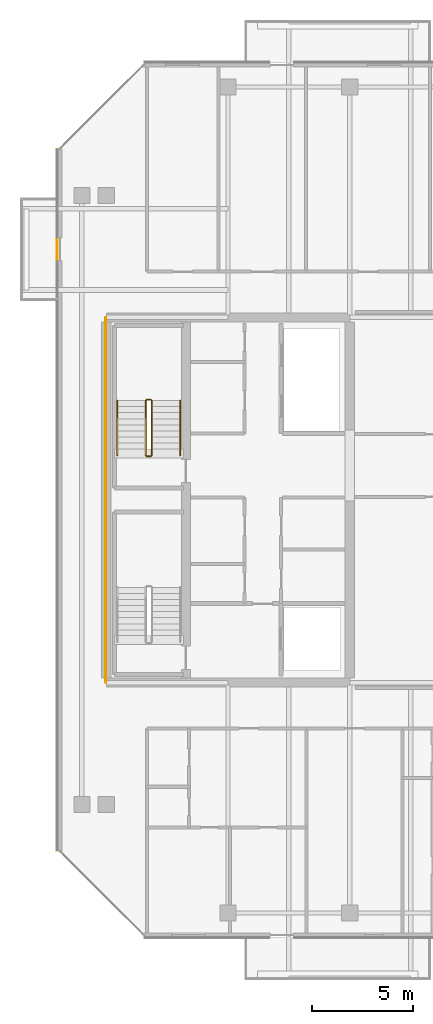
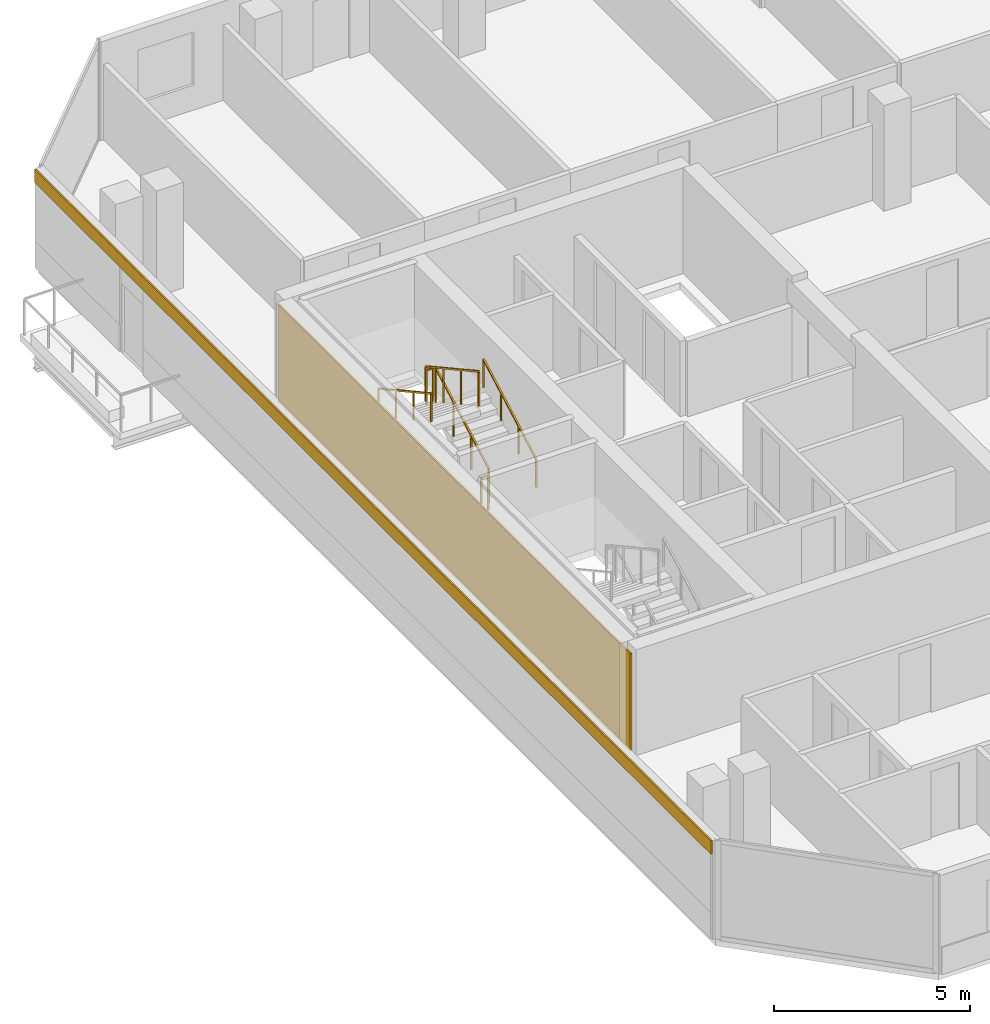
# One storey, part 26 of 29: 6 railings, 2 coverings.
"""IFC4 building model written with IfcOpenShell, lengths in metres."""

from ifc_helpers import new_model, si_unit, direction, frame, origin, origin_2d, place, context, subcontext, project, spatial, rectangle, extrude, material, layer, layer_set, type_object, element, save


model = new_model("IFC4")

# Units and contexts
model_context = context("Model", 3, precision=1e-05, world=origin(), true_north=direction((0.0, 1.0)))
body_context = subcontext(model_context, "Body", "Model", "MODEL_VIEW")
ifc_project = project(units=[si_unit("LENGTHUNIT", "METRE"), si_unit("AREAUNIT", "SQUARE_METRE"), si_unit("VOLUMEUNIT", "CUBIC_METRE"), si_unit("PLANEANGLEUNIT", "RADIAN"), si_unit("MASSUNIT", "GRAM", prefix="KILO")], contexts=[model_context])

# Site, building, storey
site_placement = place(None, origin())
site = spatial("IfcSite", under=ifc_project, at=site_placement, CompositionType="ELEMENT")
building_placement = place(site_placement, origin())
building = spatial("IfcBuilding", under=site, at=building_placement, Name="Tanjung Sevakor Pilgrim Tower", CompositionType="ELEMENT")
storey_placement = place(building_placement, frame((0.0, 0.0, 181.830078125)))
storey = spatial("IfcBuildingStorey", under=building, at=storey_placement, Name="L50", CompositionType="ELEMENT", Elevation=181.830078125)

# Coverings
ifc_material_1 = material(Name="Reconstructed Limestone Cladding", Category="masonry")
ifc_layer = layer(ifc_material_1, 0.044921875)
ifc_layer_set = layer_set([ifc_layer], Name="COV-CLAD-LIMESTONE")
covering_type = type_object("IfcCoveringType", Name="COV-CLAD-LIMESTONE", PredefinedType="CLADDING", material=ifc_layer_set)
covering_1_placement = place(storey_placement, frame((21.577392578125, 33.60009765625, 2.66015625), z_axis=(0.0, 0.0, 1.0), x_axis=(0.0, -1.0, 0.0)))
element("IfcCovering", 1, at=covering_1_placement, inside=storey, type_object=covering_type, Name="L50 Warm Limestone Cornice Spandrel EW-L50-MAIN-15", PredefinedType="CLADDING", context=body_context, shape_type="SweptSolid", body=[
    extrude(rectangle(XDim=34.56884765625, YDim=0.044921875, at=origin_2d()), origin(), (0.0, 0.0, 1.0), 0.409912109375),
])
covering_2_placement = place(storey_placement, frame((23.9775390625, 33.60009765625, 0.02001953125), z_axis=(0.0, 0.0, 1.0), x_axis=(1.0, 0.0, 0.0)))
element("IfcCovering", 2, at=covering_2_placement, inside=storey, type_object=covering_type, Name="L50 Expressed Core Warm Limestone Cladding W", PredefinedType="CLADDING", context=body_context, shape_type="SweptSolid", body=[
    extrude(rectangle(XDim=0.044921875, YDim=18.0, at=origin_2d()), origin(), (0.0, 0.0, 1.0), 3.0400390625),
])

# Railings
ifc_material_2 = material(Name="Steel S355J2", Category="steel")
railing_type_1 = type_object("IfcRailingType", Name="RL-STAIR-GUARD", PredefinedType="GUARDRAIL", material=ifc_material_2)
railing_1_placement = place(storey_placement, frame((26.25, 35.800048828125, 0.1650390625)))
element("IfcRailing", 3, at=railing_1_placement, inside=storey, type_object=railing_type_1, Name="L50 TS-W2 stair guard 1", PredefinedType="GUARDRAIL", context=body_context, shape_type="SweptSolid", body=[
    extrude(rectangle(XDim=0.0479, YDim=0.0479), frame((0.0, 0.0, 1.076171875), z_axis=(0.0, 0.876230963923, 0.481891375584), x_axis=(-1.0, 0.0, 0.0)), (0.0, 0.0, 1.0), 3.081298828125),
    extrude(rectangle(XDim=0.042, YDim=0.042), origin(), (0.0, 0.0, 1.0), 1.052001953125),
    extrude(rectangle(XDim=0.042, YDim=0.042), frame((0.0, 0.89990234375, 0.494873046875)), (0.0, 0.0, 1.0), 1.052001953125),
    extrude(rectangle(XDim=0.042, YDim=0.042), frame((0.0, 1.800048828125, 0.989990234375)), (0.0, 0.0, 1.0), 1.052001953125),
    extrude(rectangle(XDim=0.042, YDim=0.042), frame((0.0, 2.699951171875, 1.48486328125)), (0.0, 0.0, 1.0), 1.052001953125),
])
railing_2_placement = place(storey_placement, frame((26.199951171875, 38.550048828125, 1.64990234375)))
element("IfcRailing", 4, at=railing_2_placement, inside=storey, type_object=railing_type_1, Name="L50 TS-W2 stair guard 2", PredefinedType="GUARDRAIL", context=body_context, shape_type="SweptSolid", body=[
    extrude(rectangle(XDim=0.0479, YDim=0.0479), frame((0.0, 0.0, 1.076171875), z_axis=(-1.0, 0.0, 0.0), x_axis=(0.0, -1.0, 0.0)), (0.0, 0.0, 1.0), 0.199951171875),
    extrude(rectangle(XDim=0.042, YDim=0.042), origin(), (0.0, 0.0, 1.0), 1.052001953125),
    extrude(rectangle(XDim=0.042, YDim=0.042), frame((-0.199951171875, 0.0, 0.0)), (0.0, 0.0, 1.0), 1.052001953125),
])
railing_3_placement = place(storey_placement, frame((25.949951171875, 38.5, 1.81494140625)))
element("IfcRailing", 5, at=railing_3_placement, inside=storey, type_object=railing_type_1, Name="L50 TS-W2 stair guard 3", PredefinedType="GUARDRAIL", context=body_context, shape_type="SweptSolid", body=[
    extrude(rectangle(XDim=0.0479, YDim=0.0479), frame((0.0, 0.0, 1.076171875), z_axis=(0.0, -0.876230963923, 0.481891375584), x_axis=(1.0, 0.0, 0.0)), (0.0, 0.0, 1.0), 3.081298828125),
    extrude(rectangle(XDim=0.042, YDim=0.042), origin(), (0.0, 0.0, 1.0), 1.052001953125),
    extrude(rectangle(XDim=0.042, YDim=0.042), frame((0.0, -0.89990234375, 0.494873046875)), (0.0, 0.0, 1.0), 1.052001953125),
    extrude(rectangle(XDim=0.042, YDim=0.042), frame((0.0, -1.800048828125, 0.989990234375)), (0.0, 0.0, 1.0), 1.052001953125),
    extrude(rectangle(XDim=0.042, YDim=0.042), frame((0.0, -2.699951171875, 1.48486328125)), (0.0, 0.0, 1.0), 1.052001953125),
])
railing_4_placement = place(storey_placement, frame((26.199951171875, 35.75, 0.0)))
element("IfcRailing", 6, at=railing_4_placement, inside=storey, type_object=railing_type_1, Name="L50 TS-W2 stair guard 4", PredefinedType="GUARDRAIL", context=body_context, shape_type="SweptSolid", body=[
    extrude(rectangle(XDim=0.0479, YDim=0.0479), frame((0.0, 0.0, 1.076171875), z_axis=(-1.0, 0.0, 0.0), x_axis=(0.0, -1.0, 0.0)), (0.0, 0.0, 1.0), 0.199951171875),
    extrude(rectangle(XDim=0.042, YDim=0.042), origin(), (0.0, 0.0, 1.0), 1.052001953125),
    extrude(rectangle(XDim=0.042, YDim=0.042), frame((-0.199951171875, 0.0, 0.0)), (0.0, 0.0, 1.0), 1.052001953125),
])
ifc_material_3 = material(Name="Steel S355J2", Category="steel")
railing_type_2 = type_object("IfcRailingType", Name="RL-STAIR-HAND", PredefinedType="HANDRAIL", material=ifc_material_3)
railing_5_placement = place(storey_placement, frame((27.64990234375, 35.800048828125, 0.1650390625)))
element("IfcRailing", 7, at=railing_5_placement, inside=storey, type_object=railing_type_2, Name="L50 TS-W2 stair handrail 1", PredefinedType="HANDRAIL", context=body_context, shape_type="SweptSolid", body=[
    extrude(rectangle(XDim=0.0479, YDim=0.0479), frame((0.0, 0.0, 0.8759765625), z_axis=(0.0, 0.876230963923, 0.481891375584), x_axis=(-1.0, 0.0, 0.0)), (0.0, 0.0, 1.0), 3.081298828125),
    extrude(rectangle(XDim=0.042, YDim=0.042), origin(), (0.0, 0.0, 1.0), 0.851806640625),
    extrude(rectangle(XDim=0.042, YDim=0.042), frame((0.0, 0.89990234375, 0.494873046875)), (0.0, 0.0, 1.0), 0.851806640625),
    extrude(rectangle(XDim=0.042, YDim=0.042), frame((0.0, 1.800048828125, 0.989990234375)), (0.0, 0.0, 1.0), 0.851806640625),
    extrude(rectangle(XDim=0.042, YDim=0.042), frame((0.0, 2.699951171875, 1.48486328125)), (0.0, 0.0, 1.0), 0.851806640625),
])
railing_6_placement = place(storey_placement, frame((24.550048828125, 38.5, 1.81494140625)))
element("IfcRailing", 8, at=railing_6_placement, inside=storey, type_object=railing_type_2, Name="L50 TS-W2 stair handrail 2", PredefinedType="HANDRAIL", context=body_context, shape_type="SweptSolid", body=[
    extrude(rectangle(XDim=0.0479, YDim=0.0479), frame((0.0, 0.0, 0.8759765625), z_axis=(0.0, -0.876230963923, 0.481891375584), x_axis=(1.0, 0.0, 0.0)), (0.0, 0.0, 1.0), 3.081298828125),
    extrude(rectangle(XDim=0.042, YDim=0.042), origin(), (0.0, 0.0, 1.0), 0.851806640625),
    extrude(rectangle(XDim=0.042, YDim=0.042), frame((0.0, -0.89990234375, 0.494873046875)), (0.0, 0.0, 1.0), 0.851806640625),
    extrude(rectangle(XDim=0.042, YDim=0.042), frame((0.0, -1.800048828125, 0.989990234375)), (0.0, 0.0, 1.0), 0.851806640625),
    extrude(rectangle(XDim=0.042, YDim=0.042), frame((0.0, -2.699951171875, 1.48486328125)), (0.0, 0.0, 1.0), 0.851806640625),
])

save(model, "model.ifc")
